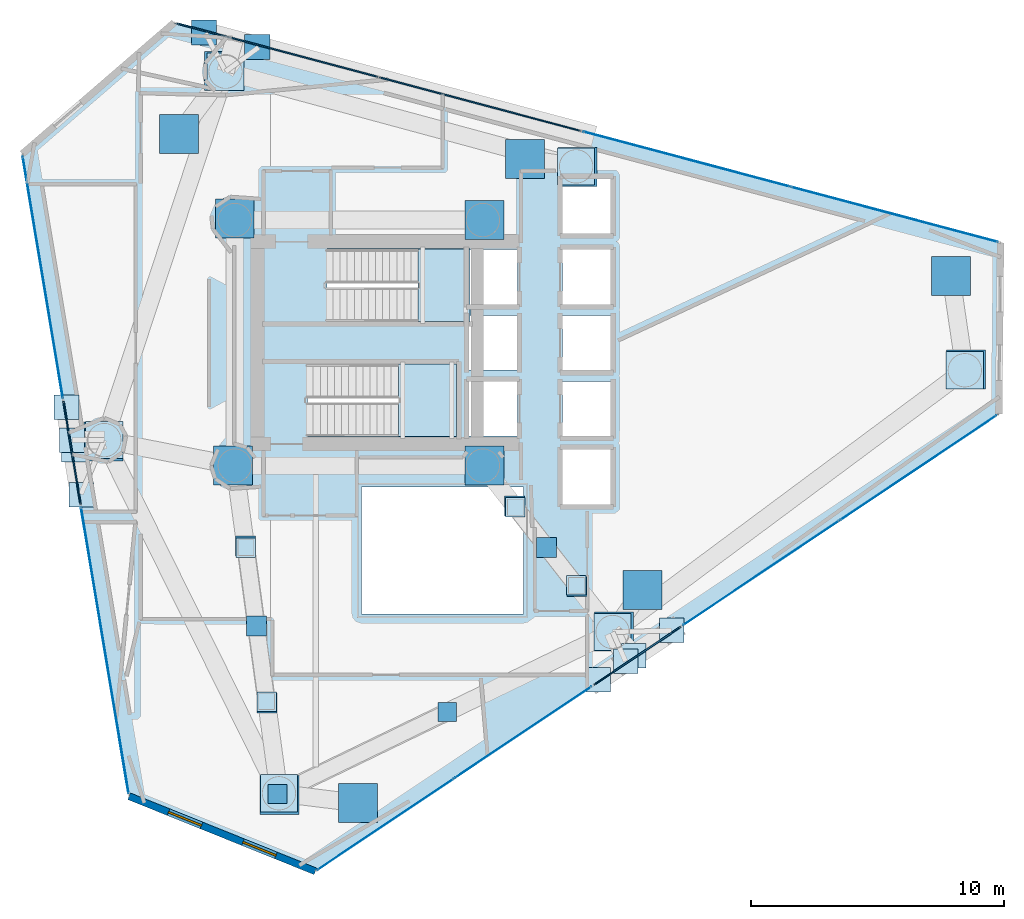
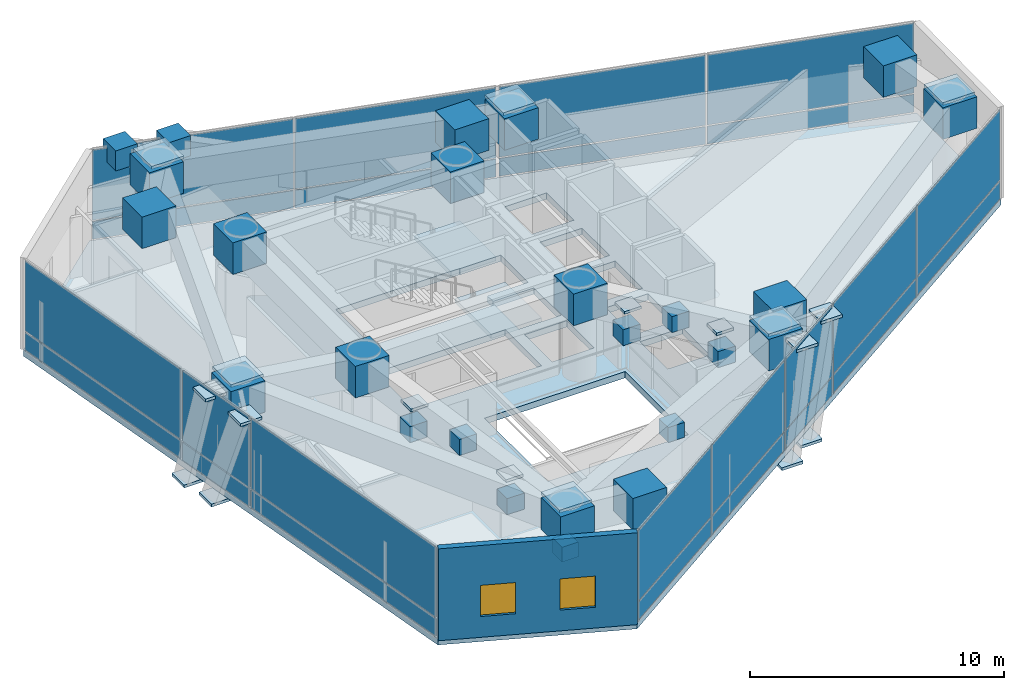
# One storey, part 16 of 22: 67 plates, 3 slabs, 2 windows, 1 wall, 2 openings, 10 elements without a shape of their own.
"""IFC4 building model written with IfcOpenShell, lengths in metres."""

from ifc_helpers import new_model, si_unit, direction, frame, frame_2d, origin, origin_2d, place, context, subcontext, project, spatial, polyline, rectangle, outline, extrude, material, layer, layer_set, type_object, element, fill, aggregate, save


model = new_model("IFC4")

# Units and contexts
model_context = context("Model", 3, precision=1e-05, world=origin(), true_north=direction((0.0, 1.0)))
body_context = subcontext(model_context, "Body", "Model", "MODEL_VIEW")
ifc_project = project(units=[si_unit("LENGTHUNIT", "METRE"), si_unit("AREAUNIT", "SQUARE_METRE"), si_unit("VOLUMEUNIT", "CUBIC_METRE"), si_unit("PLANEANGLEUNIT", "RADIAN"), si_unit("MASSUNIT", "GRAM", prefix="KILO")], contexts=[model_context])

# Site, building, storey
site_placement = place(None, origin())
site = spatial("IfcSite", under=ifc_project, at=site_placement, CompositionType="ELEMENT")
building_placement = place(site_placement, origin())
building = spatial("IfcBuilding", under=site, at=building_placement, Name="Qianvela Tower", CompositionType="ELEMENT")
storey_placement = place(building_placement, frame((0.0, 0.0, 184.60009765625)))
storey = spatial("IfcBuildingStorey", under=building, at=storey_placement, Name="L47", CompositionType="ELEMENT", Elevation=184.60009765625)

# Curtain wall, plates
ifc_material_1 = material(Name="Anodised Architectural Aluminium and Insulated Spandrel Panel", Category="aluminium")
ifc_layer_1 = layer(ifc_material_1, 0.179931640625)
ifc_layer_set_1 = layer_set([ifc_layer_1], Name="Anodised Architectural Aluminium and Insulated Spandrel Panel")
curtain_wall_type_1 = type_object("IfcCurtainWallType", Name="CW-BRACEBAY", PredefinedType="USERDEFINED", material=ifc_layer_set_1)
curtain_wall_1_placement = place(storey_placement, origin())
curtain_wall_1 = element("IfcCurtainWall", 1, at=curtain_wall_1_placement, inside=storey, type_object=curtain_wall_type_1, Name="L47 CW-BRACEBAY Curtain Wall 02B", ObjectType="CURTAIN_WALL_SYSTEM", PredefinedType="USERDEFINED")
ifc_material_2 = material(Name="Insulated Aluminium Spandrel Panel with Mineral-Wool Backpan", Category="aluminium")
ifc_layer_2 = layer(ifc_material_2, 0.06005859375)
ifc_layer_set_2 = layer_set([ifc_layer_2], Name="Insulated Aluminium Spandrel Panel with Mineral-Wool Backpan")
plate_type_1 = type_object("IfcPlateType", Name="CW-BRACEBAY-PNL", PredefinedType="CURTAIN_PANEL", material=ifc_layer_set_2)
plate_1_placement = place(storey_placement, frame((38.280029296875, 38.13037109375, 0.06494140625), z_axis=(0.0, 0.0, 1.0), x_axis=(-0.966318030582, 0.257350857335, 0.0)))
plate_1 = element("IfcPlate", 2, at=plate_1_placement, type_object=plate_type_1, Name="CW-9 panel 1.1", PredefinedType="CURTAIN_PANEL", context=body_context, shape_type="SweptSolid", body=[
    extrude(rectangle(XDim=8.20703125, YDim=0.06005859375, at=origin_2d()), origin(), (0.0, 0.0, 1.0), 0.8525390625),
])
plate_2_placement = place(storey_placement, frame((38.280029296875, 38.13037109375, 0.982421875), z_axis=(0.0, 0.0, 1.0), x_axis=(-0.966318030582, 0.257350857335, 0.0)))
plate_2 = element("IfcPlate", 3, at=plate_2_placement, type_object=plate_type_1, Name="CW-9 panel 1.2", PredefinedType="CURTAIN_PANEL", context=body_context, shape_type="SweptSolid", body=[
    extrude(rectangle(XDim=8.20703125, YDim=0.06005859375, at=origin_2d()), origin(), (0.0, 0.0, 1.0), 3.37255859375),
])
plate_3_placement = place(storey_placement, frame((30.286376953125, 40.25927734375, 0.06494140625), z_axis=(0.0, 0.0, 1.0), x_axis=(-0.966318030582, 0.257350857335, 0.0)))
plate_3 = element("IfcPlate", 4, at=plate_3_placement, type_object=plate_type_1, Name="CW-9 panel 2.1", PredefinedType="CURTAIN_PANEL", context=body_context, shape_type="SweptSolid", body=[
    extrude(rectangle(XDim=8.20703125, YDim=0.06005859375, at=origin_2d()), origin(), (0.0, 0.0, 1.0), 0.8525390625),
])
plate_4_placement = place(storey_placement, frame((30.286376953125, 40.25927734375, 0.982421875), z_axis=(0.0, 0.0, 1.0), x_axis=(-0.966318030582, 0.257350857335, 0.0)))
plate_4 = element("IfcPlate", 5, at=plate_4_placement, type_object=plate_type_1, Name="CW-9 panel 2.2", PredefinedType="CURTAIN_PANEL", context=body_context, shape_type="SweptSolid", body=[
    extrude(rectangle(XDim=8.20703125, YDim=0.06005859375, at=origin_2d()), origin(), (0.0, 0.0, 1.0), 3.37255859375),
])
aggregate(curtain_wall_1, [plate_1, plate_2, plate_3, plate_4])

curtain_wall_2_placement = place(storey_placement, origin())
curtain_wall_2 = element("IfcCurtainWall", 6, at=curtain_wall_2_placement, inside=storey, type_object=curtain_wall_type_1, Name="L47 CW-BRACEBAY Curtain Wall 04B", ObjectType="CURTAIN_WALL_SYSTEM", PredefinedType="USERDEFINED")
plate_5_placement = place(storey_placement, frame((22.17236328125, 24.358154296875, 0.06494140625), z_axis=(0.0, 0.0, 1.0), x_axis=(0.164021238078, -0.986456807701, 0.0)))
plate_5 = element("IfcPlate", 7, at=plate_5_placement, type_object=plate_type_1, Name="CW-9 panel 1.1", PredefinedType="CURTAIN_PANEL", context=body_context, shape_type="SweptSolid", body=[
    extrude(rectangle(XDim=4.1201171875, YDim=0.06005859375, at=origin_2d()), origin(), (0.0, 0.0, 1.0), 0.8525390625),
])
plate_6_placement = place(storey_placement, frame((22.17236328125, 24.358154296875, 0.982421875), z_axis=(0.0, 0.0, 1.0), x_axis=(0.164021238078, -0.986456807701, 0.0)))
plate_6 = element("IfcPlate", 8, at=plate_6_placement, type_object=plate_type_1, Name="CW-9 panel 1.2", PredefinedType="CURTAIN_PANEL", context=body_context, shape_type="SweptSolid", body=[
    extrude(rectangle(XDim=4.1201171875, YDim=0.06005859375, at=origin_2d()), origin(), (0.0, 0.0, 1.0), 3.37255859375),
])
aggregate(curtain_wall_2, [plate_5, plate_6])

curtain_wall_3_placement = place(storey_placement, origin())
curtain_wall_3 = element("IfcCurtainWall", 9, at=curtain_wall_3_placement, inside=storey, type_object=curtain_wall_type_1, Name="L47 CW-BRACEBAY Curtain Wall 06B", ObjectType="CURTAIN_WALL_SYSTEM", PredefinedType="USERDEFINED")
plate_7_placement = place(storey_placement, frame((44.498046875, 16.337158203125, 0.06494140625), z_axis=(0.0, 0.0, 1.0), x_axis=(0.83105113746, 0.556196014843, 0.0)))
plate_7 = element("IfcPlate", 10, at=plate_7_placement, type_object=plate_type_1, Name="CW-9 panel 1.1", PredefinedType="CURTAIN_PANEL", context=body_context, shape_type="SweptSolid", body=[
    extrude(rectangle(XDim=4.110107421875, YDim=0.06005859375, at=origin_2d()), origin(), (0.0, 0.0, 1.0), 0.8525390625),
])
plate_8_placement = place(storey_placement, frame((44.498046875, 16.337158203125, 0.982421875), z_axis=(0.0, 0.0, 1.0), x_axis=(0.83105113746, 0.556196014843, 0.0)))
plate_8 = element("IfcPlate", 11, at=plate_8_placement, type_object=plate_type_1, Name="CW-9 panel 1.2", PredefinedType="CURTAIN_PANEL", context=body_context, shape_type="SweptSolid", body=[
    extrude(rectangle(XDim=4.110107421875, YDim=0.06005859375, at=origin_2d()), origin(), (0.0, 0.0, 1.0), 3.37255859375),
])
aggregate(curtain_wall_3, [plate_7, plate_8])

ifc_material_3 = material(Name="Anodised Architectural Aluminium and Low-E Glass", Category="aluminium")
ifc_layer_3 = layer(ifc_material_3, 0.169921875)
ifc_layer_set_3 = layer_set([ifc_layer_3], Name="Anodised Architectural Aluminium and Low-E Glass")
curtain_wall_type_2 = type_object("IfcCurtainWallType", Name="CW-COLIV-Z34", PredefinedType="USERDEFINED", material=ifc_layer_set_3)
curtain_wall_4_placement = place(storey_placement, origin())
curtain_wall_4 = element("IfcCurtainWall", 12, at=curtain_wall_4_placement, inside=storey, type_object=curtain_wall_type_2, Name="L47 CW-COLIV-Z34 Curtain Wall 02A", ObjectType="CURTAIN_WALL_SYSTEM", PredefinedType="USERDEFINED")
ifc_material_4 = material(Name="Double-Silver Low-E Insulated Glass", Category="glass")
ifc_layer_4 = layer(ifc_material_4, 0.028076171875)
ifc_layer_set_4 = layer_set([ifc_layer_4], Name="Double-Silver Low-E Insulated Glass")
plate_type_2 = type_object("IfcPlateType", Name="CW-COLIV-Z34-PNL", PredefinedType="CURTAIN_PANEL", material=ifc_layer_set_4)
plate_9_placement = place(storey_placement, frame((54.656494140625, 33.76904296875, 0.06494140625), z_axis=(0.0, 0.0, 1.0), x_axis=(-0.966318168489, 0.257350339516, 0.0)))
plate_9 = element("IfcPlate", 13, at=plate_9_placement, type_object=plate_type_2, Name="CW-4 panel 1.1", PredefinedType="CURTAIN_PANEL", context=body_context, shape_type="SweptSolid", body=[
    extrude(rectangle(XDim=8.4326171875, YDim=0.028076171875, at=origin_2d()), origin(), (0.0, 0.0, 1.0), 0.8525390625),
])
plate_10_placement = place(storey_placement, frame((54.656494140625, 33.76904296875, 0.982421875), z_axis=(0.0, 0.0, 1.0), x_axis=(-0.966318168489, 0.257350339516, 0.0)))
plate_10 = element("IfcPlate", 14, at=plate_10_placement, type_object=plate_type_2, Name="CW-4 panel 1.2", PredefinedType="CURTAIN_PANEL", context=body_context, shape_type="SweptSolid", body=[
    extrude(rectangle(XDim=8.4326171875, YDim=0.028076171875, at=origin_2d()), origin(), (0.0, 0.0, 1.0), 3.37255859375),
])
plate_11_placement = place(storey_placement, frame((46.445068359375, 35.955810546875, 0.06494140625), z_axis=(0.0, 0.0, 1.0), x_axis=(-0.966318168489, 0.257350339516, 0.0)))
plate_11 = element("IfcPlate", 15, at=plate_11_placement, type_object=plate_type_2, Name="CW-4 panel 2.1", PredefinedType="CURTAIN_PANEL", context=body_context, shape_type="SweptSolid", body=[
    extrude(rectangle(XDim=8.4326171875, YDim=0.028076171875, at=origin_2d()), origin(), (0.0, 0.0, 1.0), 0.8525390625),
])
plate_12_placement = place(storey_placement, frame((46.445068359375, 35.955810546875, 0.982421875), z_axis=(0.0, 0.0, 1.0), x_axis=(-0.966318168489, 0.257350339516, 0.0)))
plate_12 = element("IfcPlate", 16, at=plate_12_placement, type_object=plate_type_2, Name="CW-4 panel 2.2", PredefinedType="CURTAIN_PANEL", context=body_context, shape_type="SweptSolid", body=[
    extrude(rectangle(XDim=8.4326171875, YDim=0.028076171875, at=origin_2d()), origin(), (0.0, 0.0, 1.0), 3.37255859375),
])
aggregate(curtain_wall_4, [plate_9, plate_10, plate_11, plate_12])

curtain_wall_5_placement = place(storey_placement, origin())
curtain_wall_5 = element("IfcCurtainWall", 17, at=curtain_wall_5_placement, inside=storey, type_object=curtain_wall_type_2, Name="L47 CW-COLIV-Z34 Curtain Wall 04A", ObjectType="CURTAIN_WALL_SYSTEM", PredefinedType="USERDEFINED")
plate_13_placement = place(storey_placement, frame((21.02099609375, 31.283203125, 0.06494140625), z_axis=(0.0, 0.0, 1.0), x_axis=(0.164014687691, -0.986457896832, 0.0)))
plate_13 = element("IfcPlate", 18, at=plate_13_placement, type_object=plate_type_2, Name="CW-4 panel 1.1", PredefinedType="CURTAIN_PANEL", context=body_context, shape_type="SweptSolid", body=[
    extrude(rectangle(XDim=9.659912109375, YDim=0.028076171875, at=origin_2d()), origin(), (0.0, 0.0, 1.0), 0.8525390625),
])
plate_14_placement = place(storey_placement, frame((21.02099609375, 31.283203125, 0.982421875), z_axis=(0.0, 0.0, 1.0), x_axis=(0.164014687691, -0.986457896832, 0.0)))
plate_14 = element("IfcPlate", 19, at=plate_14_placement, type_object=plate_type_2, Name="CW-4 panel 1.2", PredefinedType="CURTAIN_PANEL", context=body_context, shape_type="SweptSolid", body=[
    extrude(rectangle(XDim=9.659912109375, YDim=0.028076171875, at=origin_2d()), origin(), (0.0, 0.0, 1.0), 3.37255859375),
])
aggregate(curtain_wall_5, [plate_13, plate_14])

curtain_wall_6_placement = place(storey_placement, origin())
curtain_wall_6 = element("IfcCurtainWall", 20, at=curtain_wall_6_placement, inside=storey, type_object=curtain_wall_type_2, Name="L47 CW-COLIV-Z34 Curtain Wall 04C", ObjectType="CURTAIN_WALL_SYSTEM", PredefinedType="USERDEFINED")
plate_15_placement = place(storey_placement, frame((23.470458984375, 16.551025390625, 0.06494140625), z_axis=(0.0, 0.0, 1.0), x_axis=(0.164009625823, -0.986458738436, 0.0)))
plate_15 = element("IfcPlate", 21, at=plate_15_placement, type_object=plate_type_2, Name="CW-4 panel 1.1", PredefinedType="CURTAIN_PANEL", context=body_context, shape_type="SweptSolid", body=[
    extrude(rectangle(XDim=11.448486328125, YDim=0.028076171875, at=origin_2d()), origin(), (0.0, 0.0, 1.0), 0.8525390625),
])
plate_16_placement = place(storey_placement, frame((23.470458984375, 16.551025390625, 0.982421875), z_axis=(0.0, 0.0, 1.0), x_axis=(0.164009625823, -0.986458738436, 0.0)))
plate_16 = element("IfcPlate", 22, at=plate_16_placement, type_object=plate_type_2, Name="CW-4 panel 1.2", PredefinedType="CURTAIN_PANEL", context=body_context, shape_type="SweptSolid", body=[
    extrude(rectangle(XDim=11.448486328125, YDim=0.028076171875, at=origin_2d()), origin(), (0.0, 0.0, 1.0), 3.37255859375),
])
aggregate(curtain_wall_6, [plate_15, plate_16])

curtain_wall_7_placement = place(storey_placement, origin())
curtain_wall_7 = element("IfcCurtainWall", 23, at=curtain_wall_7_placement, inside=storey, type_object=curtain_wall_type_2, Name="L47 CW-COLIV-Z34 Curtain Wall 06A", ObjectType="CURTAIN_WALL_SYSTEM", PredefinedType="USERDEFINED")
plate_17_placement = place(storey_placement, frame((34.56591796875, 9.68994140625, 0.06494140625), z_axis=(0.0, 0.0, 1.0), x_axis=(0.831052993219, 0.556193242014, 0.0)))
plate_17 = element("IfcPlate", 24, at=plate_17_placement, type_object=plate_type_2, Name="CW-4 panel 1.1", PredefinedType="CURTAIN_PANEL", context=body_context, shape_type="SweptSolid", body=[
    extrude(rectangle(XDim=6.467529296875, YDim=0.028076171875, at=origin_2d()), origin(), (0.0, 0.0, 1.0), 0.8525390625),
])
plate_18_placement = place(storey_placement, frame((34.56591796875, 9.68994140625, 0.982421875), z_axis=(0.0, 0.0, 1.0), x_axis=(0.831052993219, 0.556193242014, 0.0)))
plate_18 = element("IfcPlate", 25, at=plate_18_placement, type_object=plate_type_2, Name="CW-4 panel 1.2", PredefinedType="CURTAIN_PANEL", context=body_context, shape_type="SweptSolid", body=[
    extrude(rectangle(XDim=6.467529296875, YDim=0.028076171875, at=origin_2d()), origin(), (0.0, 0.0, 1.0), 3.37255859375),
])
plate_19_placement = place(storey_placement, frame((39.99462890625, 13.3232421875, 0.06494140625), z_axis=(0.0, 0.0, 1.0), x_axis=(0.831052993219, 0.556193242014, 0.0)))
plate_19 = element("IfcPlate", 26, at=plate_19_placement, type_object=plate_type_2, Name="CW-4 panel 2.1", PredefinedType="CURTAIN_PANEL", context=body_context, shape_type="SweptSolid", body=[
    extrude(rectangle(XDim=6.467529296875, YDim=0.028076171875, at=origin_2d()), origin(), (0.0, 0.0, 1.0), 0.8525390625),
])
plate_20_placement = place(storey_placement, frame((39.99462890625, 13.3232421875, 0.982421875), z_axis=(0.0, 0.0, 1.0), x_axis=(0.831052993219, 0.556193242014, 0.0)))
plate_20 = element("IfcPlate", 27, at=plate_20_placement, type_object=plate_type_2, Name="CW-4 panel 2.2", PredefinedType="CURTAIN_PANEL", context=body_context, shape_type="SweptSolid", body=[
    extrude(rectangle(XDim=6.467529296875, YDim=0.028076171875, at=origin_2d()), origin(), (0.0, 0.0, 1.0), 3.37255859375),
])
aggregate(curtain_wall_7, [plate_17, plate_18, plate_19, plate_20])

curtain_wall_8_placement = place(storey_placement, origin())
curtain_wall_8 = element("IfcCurtainWall", 28, at=curtain_wall_8_placement, inside=storey, type_object=curtain_wall_type_2, Name="L47 CW-COLIV-Z34 Curtain Wall 06C", ObjectType="CURTAIN_WALL_SYSTEM", PredefinedType="USERDEFINED")
plate_21_placement = place(storey_placement, frame((49.39111328125, 19.612060546875, 0.06494140625), z_axis=(0.0, 0.0, 1.0), x_axis=(0.831052493375, 0.55619398887, 0.0)))
plate_21 = element("IfcPlate", 29, at=plate_21_placement, type_object=plate_type_2, Name="CW-4 panel 1.1", PredefinedType="CURTAIN_PANEL", context=body_context, shape_type="SweptSolid", body=[
    extrude(rectangle(XDim=7.406005859375, YDim=0.028076171875, at=origin_2d()), origin(), (0.0, 0.0, 1.0), 0.8525390625),
])
plate_22_placement = place(storey_placement, frame((49.39111328125, 19.612060546875, 0.982421875), z_axis=(0.0, 0.0, 1.0), x_axis=(0.831052493375, 0.55619398887, 0.0)))
plate_22 = element("IfcPlate", 30, at=plate_22_placement, type_object=plate_type_2, Name="CW-4 panel 1.2", PredefinedType="CURTAIN_PANEL", context=body_context, shape_type="SweptSolid", body=[
    extrude(rectangle(XDim=7.406005859375, YDim=0.028076171875, at=origin_2d()), origin(), (0.0, 0.0, 1.0), 3.37255859375),
])
plate_23_placement = place(storey_placement, frame((55.60009765625, 23.767333984375, 0.06494140625), z_axis=(0.0, 0.0, 1.0), x_axis=(0.831052493375, 0.55619398887, 0.0)))
plate_23 = element("IfcPlate", 31, at=plate_23_placement, type_object=plate_type_2, Name="CW-4 panel 2.1", PredefinedType="CURTAIN_PANEL", context=body_context, shape_type="SweptSolid", body=[
    extrude(rectangle(XDim=7.406005859375, YDim=0.028076171875, at=origin_2d()), origin(), (0.0, 0.0, 1.0), 0.8525390625),
])
plate_24_placement = place(storey_placement, frame((55.60009765625, 23.767333984375, 0.982421875), z_axis=(0.0, 0.0, 1.0), x_axis=(0.831052493375, 0.55619398887, 0.0)))
plate_24 = element("IfcPlate", 32, at=plate_24_placement, type_object=plate_type_2, Name="CW-4 panel 2.2", PredefinedType="CURTAIN_PANEL", context=body_context, shape_type="SweptSolid", body=[
    extrude(rectangle(XDim=7.406005859375, YDim=0.028076171875, at=origin_2d()), origin(), (0.0, 0.0, 1.0), 3.37255859375),
])
aggregate(curtain_wall_8, [plate_21, plate_22, plate_23, plate_24])

# Plates
ifc_material_5 = material(Name="Steel Q420GJC", Category="steel")
ifc_layer_5 = layer(ifc_material_5, 0.1298828125)
ifc_layer_set_5 = layer_set([ifc_layer_5], Name="Steel Q420GJC")
plate_type_3 = type_object("IfcPlateType", Name="PT-ENDCAP-130", PredefinedType="USERDEFINED", material=ifc_layer_set_5)
for number, where, z_axis, x_axis, name in (
    (33, (29.036865234375, 20.61474609375, 3.712890625), (0.0, 0.0, 1.0), (1.0, 0.0, 0.0), "L47 Hollow Section End Cap Plate B"),
    (34, (29.85791015625, 14.532470703125, 3.712890625), (0.0, 0.0, 1.0), (1.0, 0.0, 0.0), "L47 Hollow Section End Cap Plate B"),
    (35, (39.68115234375, 22.207275390625, 3.712890625), (0.0, 0.0, 1.0), (1.0, 0.0, 0.0), "L47 Hollow Section End Cap Plate B"),
    (36, (42.090087890625, 19.118896484375, 3.712890625), (0.0, 0.0, 1.0), (1.0, 0.0, 0.0), "L47 Hollow Section End Cap Plate B"),
):
    element("IfcPlate", number, at=place(storey_placement, frame(where, z_axis=z_axis, x_axis=x_axis)), inside=storey, type_object=plate_type_3, Name=name, ObjectType="END_CAP", PredefinedType="USERDEFINED", context=body_context, shape_type="SweptSolid", body=[
        extrude(rectangle(XDim=0.77001953125, YDim=0.77001953125, at=origin_2d()), origin(), (0.0, 0.0, 1.0), 0.1298828125),
    ])
ifc_material_6 = material(Name="Steel Q420GJC", Category="steel")
ifc_layer_6 = layer(ifc_material_6, 0.139892578125)
ifc_layer_set_6 = layer_set([ifc_layer_6], Name="Steel Q420GJC")
plate_type_4 = type_object("IfcPlateType", Name="PT-GUSSET-NODE-140", PredefinedType="USERDEFINED", material=ifc_layer_set_6)
for number, where, z_axis, x_axis, name in (
    (37, (57.43408203125, 27.617919921875, 4.5947265625), (0.0, 0.0, 1.0), (1.0, 0.0, 0.0), "L47 Node Gusset Plate TOP"),
    (38, (42.0830078125, 35.6689453125, 4.5947265625), (0.0, 0.0, 1.0), (1.0, 0.0, 0.0), "L47 Node Gusset Plate TOP"),
    (39, (28.235107421875, 39.410888671875, 4.5947265625), (0.0, 0.0, 1.0), (1.0, 0.0, 0.0), "L47 Node Gusset Plate TOP"),
    (40, (23.446044921875, 24.85888671875, 4.5947265625), (0.0, 0.0, 1.0), (1.0, 0.0, 0.0), "L47 Node Gusset Plate TOP"),
    (41, (30.346923828125, 10.908935546875, 4.5947265625), (0.0, 0.0, 1.0), (1.0, 0.0, 0.0), "L47 Node Gusset Plate TOP"),
    (42, (43.52490234375, 17.279052734375, 4.5947265625), (0.0, 0.0, 1.0), (1.0, 0.0, 0.0), "L47 Node Gusset Plate TOP"),
):
    element("IfcPlate", number, at=place(storey_placement, frame(where, z_axis=z_axis, x_axis=x_axis)), inside=storey, type_object=plate_type_4, Name=name, ObjectType="GUSSET_PLATE", PredefinedType="USERDEFINED", context=body_context, shape_type="SweptSolid", body=[
        extrude(rectangle(XDim=1.469970703125, YDim=1.469970703125, at=origin_2d()), origin(), (0.0, 0.0, 1.0), 0.139892578125),
    ])
for number, where, z_axis, x_axis, name in (
    (43, (29.48828125, 40.38916015625, 3.654296875), (0.0, 0.0, 1.0), (1.0, 0.0, 0.0), "L47 Node Gusset Plate B"),
    (44, (27.385986328125, 40.948974609375, 3.65380859375), (0.0, 0.0, 1.0), (1.0, 0.0, 0.0), "L47 Node Gusset Plate B"),
):
    element("IfcPlate", number, at=place(storey_placement, frame(where, z_axis=z_axis, x_axis=x_axis)), inside=storey, type_object=plate_type_4, Name=name, ObjectType="GUSSET_PLATE", PredefinedType="USERDEFINED", context=body_context, shape_type="SweptSolid", body=[
        extrude(rectangle(XDim=0.989990234375, YDim=0.989990234375, at=origin_2d()), origin(), (0.0, 0.0, 1.0), 0.969970703125),
    ])
for number, where, z_axis, x_axis, name in (
    (45, (21.955078125, 26.1533203125, -0.73486328125), (0.0, 0.0, 1.0), (1.0, 0.0, 0.0), "L47 Node Gusset Plate A"),
    (46, (22.17138671875, 24.852783203125, 4.11083984375), (0.0, 0.0, 1.0), (1.0, 0.0, 0.0), "L47 Node Gusset Plate B"),
    (47, (22.2333984375, 24.4794921875, -0.73291015625), (0.0, 0.0, 1.0), (1.0, 0.0, 0.0), "L47 Node Gusset Plate A"),
    (48, (22.52880859375, 22.70166015625, 4.10888671875), (0.0, 0.0, 1.0), (1.0, 0.0, 0.0), "L47 Node Gusset Plate B"),
    (49, (42.952392578125, 15.399169921875, -0.73486328125), (0.0, 0.0, 1.0), (1.0, 0.0, 0.0), "L47 Node Gusset Plate A"),
    (50, (44.048095703125, 16.13232421875, 4.11083984375), (0.0, 0.0, 1.0), (1.0, 0.0, 0.0), "L47 Node Gusset Plate B"),
    (51, (44.36279296875, 16.343017578125, -0.73291015625), (0.0, 0.0, 1.0), (1.0, 0.0, 0.0), "L47 Node Gusset Plate A"),
    (52, (45.8603515625, 17.34521484375, 4.10888671875), (0.0, 0.0, 1.0), (1.0, 0.0, 0.0), "L47 Node Gusset Plate B"),
):
    element("IfcPlate", number, at=place(storey_placement, frame(where, z_axis=z_axis, x_axis=x_axis)), inside=storey, type_object=plate_type_4, Name=name, ObjectType="GUSSET_PLATE", PredefinedType="USERDEFINED", context=body_context, shape_type="SweptSolid", body=[
        extrude(rectangle(XDim=0.969970703125, YDim=0.969970703125, at=origin_2d()), origin(), (0.0, 0.0, 1.0), 0.139892578125),
    ])
for number, where, z_axis, x_axis, name in (
    (53, (28.534912109375, 23.85009765625, 2.9580078125), (0.0, 0.0, 1.0), (1.0, 0.0, 0.0), "L47 Node Gusset Plate A"),
    (54, (38.465087890625, 23.85009765625, 2.9580078125), (0.0, 0.0, 1.0), (1.0, 0.0, 0.0), "L47 Node Gusset Plate B"),
    (55, (28.60009765625, 33.614990234375, 2.9580078125), (0.0, 0.0, 1.0), (1.0, 0.0, 0.0), "L47 Node Gusset Plate A"),
    (56, (38.465087890625, 33.550048828125, 2.9580078125), (0.0, 0.0, 1.0), (1.0, 0.0, 0.0), "L47 Node Gusset Plate B"),
    (57, (42.145751953125, 35.652099609375, 2.9580078125), (0.0, 0.0, 1.0), (1.0, 0.0, 0.0), "L47 Node Gusset Plate A"),
    (58, (28.17236328125, 39.427978515625, 2.9580078125), (0.0, 0.0, 1.0), (1.0, 0.0, 0.0), "L47 Node Gusset Plate B"),
    (59, (23.42578125, 24.79736328125, 2.9580078125), (0.0, 0.0, 1.0), (1.0, 0.0, 0.0), "L47 Node Gusset Plate B"),
    (60, (30.375732421875, 10.8505859375, 2.9580078125), (0.0, 0.0, 1.0), (1.0, 0.0, 0.0), "L47 Node Gusset Plate B"),
    (61, (43.58349609375, 17.307373046875, 2.9580078125), (0.0, 0.0, 1.0), (1.0, 0.0, 0.0), "L47 Node Gusset Plate B"),
):
    element("IfcPlate", number, at=place(storey_placement, frame(where, z_axis=z_axis, x_axis=x_axis)), inside=storey, type_object=plate_type_4, Name=name, ObjectType="GUSSET_PLATE", PredefinedType="USERDEFINED", context=body_context, shape_type="SweptSolid", body=[
        extrude(rectangle(XDim=1.5400390625, YDim=1.5400390625, at=origin_2d()), origin(), (0.0, 0.0, 1.0), 1.52001953125),
    ])
for number, where, z_axis, x_axis, name in (
    (62, (30.28955078125, 10.881103515625, 1.927734375), (0.0, 0.0, 1.0), (1.0, 0.0, 0.0), "L47 Node Gusset Plate A"),
    (63, (36.993408203125, 14.121826171875, 3.3701171875), (0.0, 0.0, 1.0), (1.0, 0.0, 0.0), "L47 Node Gusset Plate B"),
):
    element("IfcPlate", number, at=place(storey_placement, frame(where, z_axis=z_axis, x_axis=x_axis)), inside=storey, type_object=plate_type_4, Name=name, ObjectType="GUSSET_PLATE", PredefinedType="USERDEFINED", context=body_context, shape_type="SweptSolid", body=[
        extrude(rectangle(XDim=0.739990234375, YDim=0.739990234375, at=origin_2d()), origin(), (0.0, 0.0, 1.0), 0.719970703125),
    ])
plate_25_placement = place(storey_placement, frame((57.486083984375, 27.65673828125, 2.9580078125), z_axis=(0.0, 0.0, 1.0), x_axis=(1.0, 0.0, 0.0)))
element("IfcPlate", 64, at=plate_25_placement, inside=storey, type_object=plate_type_4, Name="L47 Node Gusset Plate B", ObjectType="GUSSET_PLATE", PredefinedType="USERDEFINED", context=body_context, shape_type="SweptSolid", body=[
    extrude(rectangle(XDim=1.5400390625, YDim=1.5400390625, at=origin_2d()), origin(), (0.0, 0.0, 1.0), 1.52001953125),
])
for number, where, z_axis, x_axis, name in (
    (65, (29.028564453125, 20.67529296875, 2.205810546875), (0.0, 0.0, 1.0), (1.0, 0.0, 0.0), "L47 Node Gusset Plate A"),
    (66, (29.45556640625, 17.512939453125, 3.35498046875), (0.0, 0.0, 1.0), (1.0, 0.0, 0.0), "L47 Node Gusset Plate B"),
    (67, (29.865966796875, 14.471923828125, 2.205810546875), (0.0, 0.0, 1.0), (1.0, 0.0, 0.0), "L47 Node Gusset Plate B"),
    (68, (39.646484375, 22.251953125, 2.196044921875), (0.0, 0.0, 1.0), (1.0, 0.0, 0.0), "L47 Node Gusset Plate A"),
    (69, (40.92041015625, 20.618408203125, 3.36474609375), (0.0, 0.0, 1.0), (1.0, 0.0, 0.0), "L47 Node Gusset Plate B"),
    (70, (42.124755859375, 19.07421875, 2.196044921875), (0.0, 0.0, 1.0), (1.0, 0.0, 0.0), "L47 Node Gusset Plate B"),
):
    element("IfcPlate", number, at=place(storey_placement, frame(where, z_axis=z_axis, x_axis=x_axis)), inside=storey, type_object=plate_type_4, Name=name, ObjectType="GUSSET_PLATE", PredefinedType="USERDEFINED", context=body_context, shape_type="SweptSolid", body=[
        extrude(rectangle(XDim=0.7900390625, YDim=0.7900390625, at=origin_2d()), origin(), (0.0, 0.0, 1.0), 0.77001953125),
    ])
for number, where, z_axis, x_axis, name in (
    (71, (56.887451171875, 31.334228515625, 2.9580078125), (0.0, 0.0, 1.0), (1.0, 0.0, 0.0), "L47 Node Gusset Plate B"),
    (72, (40.066650390625, 35.967529296875, 2.9580078125), (0.0, 0.0, 1.0), (1.0, 0.0, 0.0), "L47 Node Gusset Plate B"),
    (73, (26.39208984375, 36.93994140625, 2.9580078125), (0.0, 0.0, 1.0), (1.0, 0.0, 0.0), "L47 Node Gusset Plate B"),
    (74, (33.4775390625, 10.52294921875, 2.9580078125), (0.0, 0.0, 1.0), (1.0, 0.0, 0.0), "L47 Node Gusset Plate B"),
    (75, (44.70458984375, 18.93603515625, 2.9580078125), (0.0, 0.0, 1.0), (1.0, 0.0, 0.0), "L47 Node Gusset Plate B"),
):
    element("IfcPlate", number, at=place(storey_placement, frame(where, z_axis=z_axis, x_axis=x_axis)), inside=storey, type_object=plate_type_4, Name=name, ObjectType="GUSSET_PLATE", PredefinedType="USERDEFINED", context=body_context, shape_type="SweptSolid", body=[
        extrude(rectangle(XDim=1.5400390625, YDim=1.5400390625, at=origin_2d()), origin(), (0.0, 0.0, 1.0), 1.52001953125),
    ])

# Stair, slab
ifc_material_7 = material(Name="Concrete C40", Category="concrete")
stair_type = type_object("IfcStairType", Name="ST-DOGLEG-1350-R164-N28", PredefinedType="HALF_TURN_STAIR", material=ifc_material_7)
stair_1_placement = place(storey_placement, origin())
stair_1 = element("IfcStair", 76, at=stair_1_placement, inside=storey, type_object=stair_type, Name="L47 Smoke-Proof Core Stair ST-1", PredefinedType="HALF_TURN_STAIR")
ifc_material_8 = material(Name="Concrete C40", Category="concrete")
ifc_layer_7 = layer(ifc_material_8, 0.199951171875)
ifc_layer_set_7 = layer_set([ifc_layer_7], Name="Concrete C40")
slab_type_1 = type_object("IfcSlabType", Name="SL-STAIR-LANDING-200", PredefinedType="LANDING", material=ifc_layer_set_7)
slab_1_placement = place(storey_placement, frame((0.0, 0.0, 2.099853515625)))
slab_1 = element("IfcSlab", 77, at=slab_1_placement, type_object=slab_type_1, Name="ST-1 landing 1", PredefinedType="LANDING", context=body_context, shape_type="SweptSolid", body=[
    extrude(outline(polyline([(35.840087890625, 29.5400390625), (37.89990234375, 29.5400390625), (37.89990234375, 32.39990234375), (35.840087890625, 32.39990234375), (35.840087890625, 29.5400390625)])), origin(), (0.0, 0.0, 1.0), 0.199951171875),
])
aggregate(stair_1, [slab_1])

stair_2_placement = place(storey_placement, origin())
stair_2 = element("IfcStair", 78, at=stair_2_placement, inside=storey, type_object=stair_type, Name="L47 Smoke-Proof Core Stair ST-2", PredefinedType="HALF_TURN_STAIR")
slab_2_placement = place(storey_placement, frame((0.0, 0.0, 2.099853515625)))
slab_2 = element("IfcSlab", 79, at=slab_2_placement, type_object=slab_type_1, Name="ST-2 landing 1", PredefinedType="LANDING", context=body_context, shape_type="SweptSolid", body=[
    extrude(outline(polyline([(35.06005859375, 25.0), (37.35009765625, 25.0), (37.35009765625, 27.860107421875), (35.06005859375, 27.860107421875), (35.06005859375, 25.0)])), origin(), (0.0, 0.0, 1.0), 0.199951171875),
])
aggregate(stair_2, [slab_2])

# Slab
ifc_material_9 = material(Name="Concrete C40", Category="concrete")
ifc_layer_8 = layer(ifc_material_9, 0.300048828125)
ifc_layer_set_8 = layer_set([ifc_layer_8], Name="Concrete C40")
slab_type_2 = type_object("IfcSlabType", Name="SL-TRANS-300", PredefinedType="FLOOR", material=ifc_layer_set_8)
slab_3_placement = place(storey_placement, frame((0.0, 0.0, -0.300048828125)))
element("IfcSlab", 80, at=slab_3_placement, inside=storey, type_object=slab_type_2, Name="L47 Composite Structural Floor Slab", PredefinedType="FLOOR", context=body_context, shape_type="SweptSolid", body=[
    extrude(outline(polyline([(58.77294921875, 25.890869140625), (58.841796875, 32.654296875), (26.2099609375, 41.344970703125), (20.2099609375, 36.1611328125), (24.42822265625, 10.790771484375), (31.78271484375, 7.827392578125), (58.77294921875, 25.890869140625)]), holes=[polyline([(40.0, 23.0), (33.60009765625, 23.0), (33.60009765625, 18.0), (40.0, 18.0), (40.0, 23.0)]), polyline([(39.760009765625, 27.179931640625), (37.840087890625, 27.179931640625), (37.840087890625, 25.02001953125), (39.760009765625, 25.02001953125), (39.760009765625, 27.179931640625)]), polyline([(37.35009765625, 27.860107421875), (31.469970703125, 27.860107421875), (31.469970703125, 25.0), (37.35009765625, 25.0), (37.35009765625, 27.860107421875)]), polyline([(37.840087890625, 27.6201171875), (39.760009765625, 27.6201171875), (39.760009765625, 29.780029296875), (37.89990234375, 29.780029296875), (37.89990234375, 30.219970703125), (39.760009765625, 30.219970703125), (39.760009765625, 32.3798828125), (37.89990234375, 32.3798828125), (37.89990234375, 32.39990234375), (32.25, 32.39990234375), (32.25, 29.5400390625), (37.840087890625, 29.5400390625), (37.840087890625, 27.6201171875)]), polyline([(43.4599609375, 22.320068359375), (43.4599609375, 24.47998046875), (41.5400390625, 24.47998046875), (41.5400390625, 22.320068359375), (43.4599609375, 22.320068359375)]), polyline([(43.4599609375, 25.02001953125), (43.4599609375, 27.179931640625), (41.5400390625, 27.179931640625), (41.5400390625, 25.02001953125), (43.4599609375, 25.02001953125)]), polyline([(43.4599609375, 29.780029296875), (41.5400390625, 29.780029296875), (41.5400390625, 27.6201171875), (43.4599609375, 27.6201171875), (43.4599609375, 29.780029296875)]), polyline([(43.4599609375, 30.219970703125), (43.4599609375, 32.3798828125), (41.5400390625, 32.3798828125), (41.5400390625, 30.219970703125), (43.4599609375, 30.219970703125)]), polyline([(43.4599609375, 33.02001953125), (43.4599609375, 35.179931640625), (41.5400390625, 35.179931640625), (41.5400390625, 33.02001953125), (43.4599609375, 33.02001953125)])]), origin(), (0.0, 0.0, 1.0), 0.300048828125),
])

# Wall, openings, windows
ifc_material_10 = material(Name="Terracotta Cladding on Concrete C40", Category="masonry")
ifc_layer_9 = layer(ifc_material_10, 0.280029296875)
ifc_layer_set_9 = layer_set([ifc_layer_9], Name="Terracotta Cladding on Concrete C40")
wall_type = type_object("IfcWallType", Name="TERRACOTTA-WALL-280", PredefinedType="SOLIDWALL", material=ifc_layer_set_9)
wall_placement = place(storey_placement, frame((24.42822265625, 10.790771484375, 0.0), z_axis=(0.0, 0.0, 1.0), x_axis=(0.927535144365, -0.373735944174, 0.0)))
wall = element("IfcWall", 81, at=wall_placement, inside=storey, type_object=wall_type, Name="L47 Terracotta Chamfer Facet Wall 5", PredefinedType="SOLIDWALL", context=body_context, shape_type="SweptSolid", body=[
    extrude(rectangle(XDim=7.928955078125, YDim=0.280029296875, at=frame_2d((3.96435546875, 0.0))), origin(), (0.0, 0.0, 1.0), 4.419921875),
])
opening_1_placement = place(wall_placement, frame((1.6787109375, 0.0, 1.0)))
opening_1 = element("IfcOpeningElement", 82, at=opening_1_placement, cuts=wall, Name="Opening W-06", PredefinedType="OPENING", context=body_context, shape_type="SweptSolid", body=[
    extrude(rectangle(XDim=1.39990234375, YDim=1.5, at=frame_2d((0.699951171875, 0.75))), frame((0.0, 0.14990234375, 0.0), z_axis=(0.0, -1.0, 0.0), x_axis=(1.0, 0.0, 0.0)), (0.0, 0.0, 1.0), 0.300048828125),
])
opening_2_placement = place(wall_placement, frame((4.850341796875, 0.0, 1.0)))
opening_2 = element("IfcOpeningElement", 83, at=opening_2_placement, cuts=wall, Name="Opening W-06", PredefinedType="OPENING", context=body_context, shape_type="SweptSolid", body=[
    extrude(rectangle(XDim=1.39990234375, YDim=1.5, at=frame_2d((0.699951171875, 0.75))), frame((0.0, 0.14990234375, 0.0), z_axis=(0.0, -1.0, 0.0), x_axis=(1.0, 0.0, 0.0)), (0.0, 0.0, 1.0), 0.300048828125),
])
ifc_material_11 = material(Name="Thermally Broken Aluminium and Low-E Glass", Category="aluminium")
window_type = type_object("IfcWindowType", Name="WIN-REF-1400x1500", PartitioningType="SINGLE_PANEL", PredefinedType="WINDOW", material=ifc_material_11)
window_1_placement = place(opening_1_placement, origin())
window_1 = element("IfcWindow", 84, at=window_1_placement, inside=storey, type_object=window_type, Name="L47 Chamfer Facet Window 5.1", OverallHeight=1.5, OverallWidth=1.39990234375, PartitioningType="SINGLE_PANEL", PredefinedType="WINDOW", context=body_context, shape_type="SweptSolid", body=[
    extrude(rectangle(XDim=1.39990234375, YDim=1.5, at=frame_2d((0.699951171875, 0.75))), frame((0.0, 0.030029296875, 0.0), z_axis=(0.0, -1.0, 0.0), x_axis=(1.0, 0.0, 0.0)), (0.0, 0.0, 1.0), 0.06005859375),
])
fill(opening_1, window_1)
window_2_placement = place(opening_2_placement, origin())
window_2 = element("IfcWindow", 85, at=window_2_placement, inside=storey, type_object=window_type, Name="L47 Chamfer Facet Window 5.2", OverallHeight=1.5, OverallWidth=1.39990234375, PartitioningType="SINGLE_PANEL", PredefinedType="WINDOW", context=body_context, shape_type="SweptSolid", body=[
    extrude(rectangle(XDim=1.39990234375, YDim=1.5, at=frame_2d((0.699951171875, 0.75))), frame((0.0, 0.030029296875, 0.0), z_axis=(0.0, -1.0, 0.0), x_axis=(1.0, 0.0, 0.0)), (0.0, 0.0, 1.0), 0.06005859375),
])
fill(opening_2, window_2)

save(model, "model.ifc")
